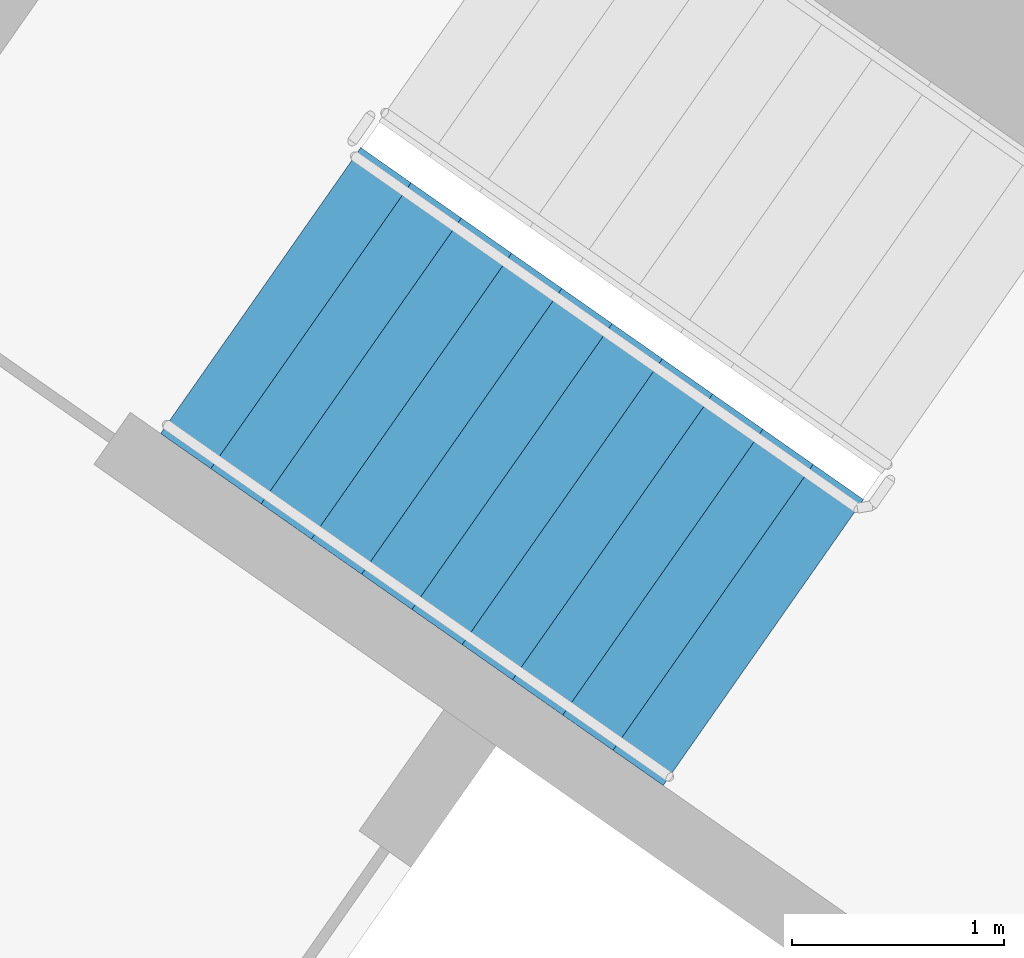
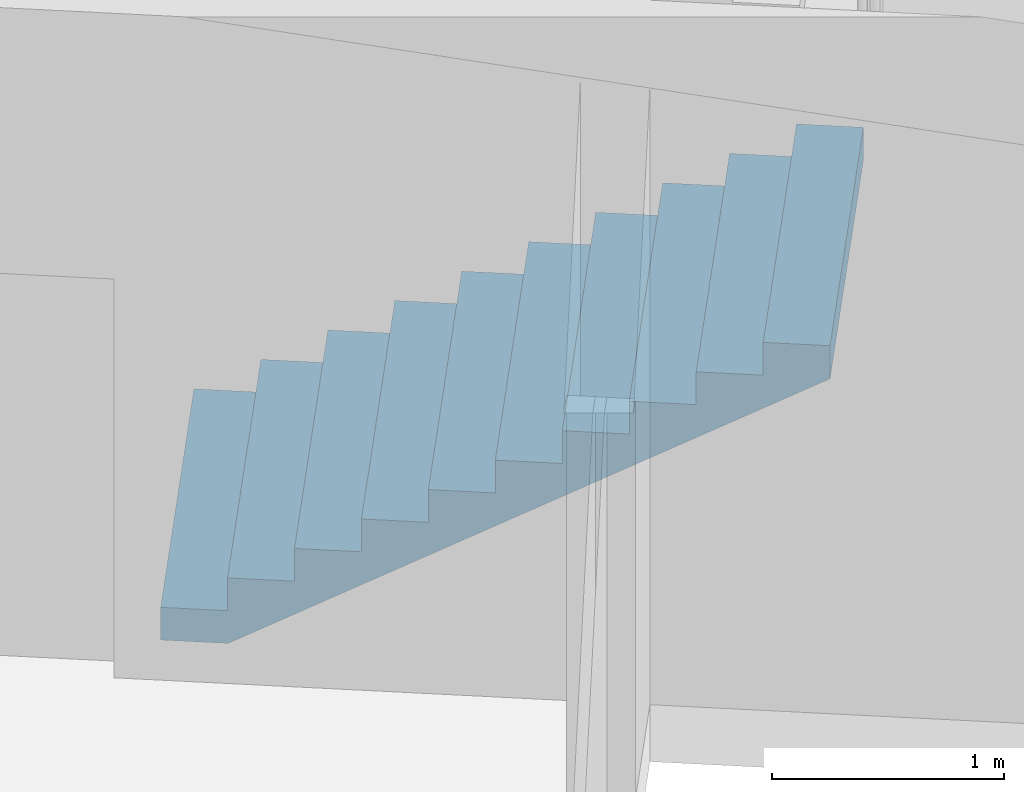
# One storey, part 10 of 30: 1 stair flight, 1 element without a shape of its own.
"""IFC4 building model written with IfcOpenShell, lengths in metres."""

import ifcopenshell
import ifcopenshell.guid

model = None  # the IFC model being written
_history = None  # IfcOwnerHistory: only IFC2X3 demands one
_inside = {}  # id of a spatial element -> (the spatial element, [elements in it])
_under = {}  # id of a project, library or spatial element -> (it, [spatial elements below it])
_declared = {}  # id of a project -> (the project, [libraries it declares])
_typed = {}  # id of a type object -> (the type object, [elements of that type])
_made_of = {}  # id of a material, layer set ... -> (it, [elements and type objects made of it])


def new_model(schema):
    """Start an empty IFC model of exactly this schema.

    Asked for "IFC4X3", IfcOpenShell would pick the latest addendum, in which some entities
    have other attributes; the version numbers below select the first issue.
    IFC2X3 requires an IfcOwnerHistory on every rooted entity: one is made here for all.
    """
    global model, _history
    if schema == "IFC4X3":
        model = ifcopenshell.file(schema_version=(4, 3, 0, 0))
    else:
        model = ifcopenshell.file(schema=schema)
    _inside.clear()
    _under.clear()
    _declared.clear()
    _typed.clear()
    _made_of.clear()
    _history = None
    if model.schema == "IFC2X3":
        org = make("IfcOrganization", Name="unknown")
        user = make(
            "IfcPersonAndOrganization",
            ThePerson=make("IfcPerson", FamilyName="unknown"),
            TheOrganization=org,
        )
        app = make(
            "IfcApplication",
            ApplicationDeveloper=org,
            Version="unknown",
            ApplicationFullName="unknown",
            ApplicationIdentifier="unknown",
        )
        _history = make(
            "IfcOwnerHistory",
            OwningUser=user,
            OwningApplication=app,
            ChangeAction="ADDED",
            CreationDate=0,
        )
    return model


def make(cls, **values):
    """One entity of the class cls with the attributes given. An attribute that is None is left unset."""
    return model.create_entity(
        cls, **{name: value for name, value in values.items() if value is not None}
    )


def rooted(cls, **values):
    """An entity with a GlobalId (a new one), such as an element, a storey or a relation."""
    return make(cls, GlobalId=ifcopenshell.guid.new(), OwnerHistory=_history, **values)


def si_unit(unit_type, name, prefix=None):
    """IfcSIUnit, for example si_unit("LENGTHUNIT", "METRE", prefix="MILLI")."""
    return make("IfcSIUnit", UnitType=unit_type, Prefix=prefix, Name=name)


def assignment(units):
    """IfcUnitAssignment: the units of a project."""
    return None if units is None else make("IfcUnitAssignment", Units=units)


def point(xyz):
    """IfcCartesianPoint."""
    return None if xyz is None else make("IfcCartesianPoint", Coordinates=xyz)


def direction(xyz):
    """IfcDirection."""
    return None if xyz is None else make("IfcDirection", DirectionRatios=xyz)


def frame(location, z_axis=None, x_axis=None):
    """IfcAxis2Placement3D, a coordinate frame: its origin and axes. An axis left out is left unset."""
    return make(
        "IfcAxis2Placement3D",
        Location=point(location),
        Axis=direction(z_axis),
        RefDirection=direction(x_axis),
    )


def origin():
    """The frame at (0, 0, 0) with its axes left unset."""
    return frame((0.0, 0.0, 0.0))


def place(relative_to, where):
    """IfcLocalPlacement: puts the frame where relative to a parent placement (None: the world)."""
    return make(
        "IfcLocalPlacement", PlacementRelTo=relative_to, RelativePlacement=where
    )


def context(
    kind, dimensions, precision=None, world=None, true_north=None, identifier=None
):
    """IfcGeometricRepresentationContext, for example the 3D "Model" context."""
    return make(
        "IfcGeometricRepresentationContext",
        ContextIdentifier=identifier,
        ContextType=kind,
        CoordinateSpaceDimension=dimensions,
        Precision=precision,
        WorldCoordinateSystem=world,
        TrueNorth=true_north,
    )


def subcontext(parent, identifier, kind, view, scale=None):
    """IfcGeometricRepresentationSubContext, for example "Body" below "Model"."""
    return make(
        "IfcGeometricRepresentationSubContext",
        ContextIdentifier=identifier,
        ContextType=kind,
        ParentContext=parent,
        TargetScale=scale,
        TargetView=view,
    )


def project(units=None, contexts=None):
    """IfcProject with its units and contexts."""
    return rooted(
        "IfcProject",
        Name="project",
        RepresentationContexts=contexts,
        UnitsInContext=assignment(units),
    )


def spatial(cls, under=None, at=None, **own):
    """A site, building, storey or space (cls), placed at a placement, below another one or the project."""
    s = rooted(cls, ObjectPlacement=at, **own)
    if under is not None:
        _under.setdefault(under.id(), (under, []))[1].append(s)
    return s


def faces_of(points, faces, orient=None, outer=None):
    """IfcFace entities. A face is a list of loops; a loop is a list of indices into points, from 0.

    orient and outer hold one flag for each loop. By default every Orientation is true, the
    first loop of a face is its IfcFaceOuterBound and the others are IfcFaceBound.
    """
    made = []
    for i, loops in enumerate(faces):
        bounds = []
        for j, loop in enumerate(loops):
            is_outer = j == 0 if outer is None else outer[i][j]
            bounds.append(
                make(
                    "IfcFaceOuterBound" if is_outer else "IfcFaceBound",
                    Bound=make("IfcPolyLoop", Polygon=[points[k] for k in loop]),
                    Orientation=True if orient is None else orient[i][j],
                )
            )
        made.append(make("IfcFace", Bounds=bounds))
    return made


def faceted_brep(points, faces, orient=None, outer=None, voids=None):
    """IfcFacetedBrep: a solid bounded by flat faces; with voids (closed shells), ...WithVoids."""
    shared = [point(p) for p in points]
    hull = make("IfcClosedShell", CfsFaces=faces_of(shared, faces, orient, outer))
    if voids is None:
        return make("IfcFacetedBrep", Outer=hull)
    return make(
        "IfcFacetedBrepWithVoids",
        Outer=hull,
        Voids=[
            make(cls, CfsFaces=faces_of(shared, fs, o, b)) for cls, fs, o, b in voids
        ],
    )


def shape(context_of_items, identifier, shape_type, items):
    """IfcShapeRepresentation: the items that make up one representation, for example the "Body"."""
    return make(
        "IfcShapeRepresentation",
        ContextOfItems=context_of_items,
        RepresentationIdentifier=identifier,
        RepresentationType=shape_type,
        Items=items,
    )


def material(Name=None, Category=None):
    """IfcMaterial."""
    return make("IfcMaterial", Name=Name, Category=Category)


def made_of(thing, what):
    """Note that an element or type object is made of a material, layer set ...; save() writes the relation."""
    if what is not None:
        _made_of.setdefault(what.id(), (what, []))[1].append(thing)
    return thing


def type_object(cls, material=None, **own):
    """A type object (cls), such as IfcWallType, which elements share."""
    return made_of(rooted(cls, **own), material)


def element(
    cls,
    number,
    at=None,
    inside=None,
    cuts=None,
    type_object=None,
    material=None,
    context=None,
    identifier="Body",
    shape_type=None,
    held_by="IfcProductDefinitionShape",
    body=None,
    shapes=None,
    **own,
):
    """One element of the class cls, such as IfcWall. Its Tag is "e" and its number.

    at: its placement. inside: the storey or other place that contains it. cuts: it is an
    opening in that element (IfcRelVoidsElement). A single representation is given by context,
    identifier, shape_type and body (its items); several are given by shapes. held_by: the class
    of the entity that holds the representations. save() writes the other relations.
    """
    e = rooted(cls, Tag="e%d" % number, ObjectPlacement=at, **own)
    if body is not None:
        shapes = [shape(context, identifier, shape_type, body)]
    if shapes is not None:
        e.Representation = make(held_by, Representations=shapes)
    if inside is not None:
        _inside.setdefault(inside.id(), (inside, []))[1].append(e)
    if cuts is not None:
        rooted(
            "IfcRelVoidsElement", RelatingBuildingElement=cuts, RelatedOpeningElement=e
        )
    if type_object is not None:
        _typed.setdefault(type_object.id(), (type_object, []))[1].append(e)
    return made_of(e, material)


def aggregate(whole, parts):
    """IfcRelAggregates: a whole, such as a stair, and the parts it consists of."""
    return rooted("IfcRelAggregates", RelatingObject=whole, RelatedObjects=parts)


def save(model, path):
    """Write the relations noted so far, then the file.

    IfcRelAggregates (storeys below a building ...), IfcRelContainedInSpatialStructure (elements
    in a storey), IfcRelDefinesByType, IfcRelAssociatesMaterial and IfcRelDeclares: one each for
    every whole, place, type object, material and project.
    """
    for whole, parts in _under.values():
        aggregate(whole, parts)
    for where, things in _inside.values():
        rooted(
            "IfcRelContainedInSpatialStructure",
            RelatedElements=things,
            RelatingStructure=where,
        )
    for kind, things in _typed.values():
        rooted("IfcRelDefinesByType", RelatedObjects=things, RelatingType=kind)
    for what, things in _made_of.values():
        rooted("IfcRelAssociatesMaterial", RelatedObjects=things, RelatingMaterial=what)
    for by, libraries in _declared.values():
        rooted("IfcRelDeclares", RelatingContext=by, RelatedDefinitions=libraries)
    model.write(path)


model = new_model("IFC4")

# Units and contexts
model_context = context("Model", 3, precision=1e-05, world=origin(), true_north=direction((0.0, 1.0)))
body_context = subcontext(model_context, "Body", "Model", "MODEL_VIEW")
ifc_project = project(units=[si_unit("LENGTHUNIT", "METRE"), si_unit("AREAUNIT", "SQUARE_METRE"), si_unit("VOLUMEUNIT", "CUBIC_METRE"), si_unit("PLANEANGLEUNIT", "RADIAN"), si_unit("MASSUNIT", "GRAM", prefix="KILO")], contexts=[model_context])

# Site, building, storey
site_placement = place(None, origin())
site = spatial("IfcSite", under=ifc_project, at=site_placement, CompositionType="ELEMENT")
building_placement = place(site_placement, origin())
building = spatial("IfcBuilding", under=site, at=building_placement, Name="Qamariyya Broadcast Tower", CompositionType="ELEMENT")
storey_placement = place(building_placement, frame((0.0, 0.0, 203.699951171875)))
storey = spatial("IfcBuildingStorey", under=building, at=storey_placement, Name="L48", CompositionType="ELEMENT", Elevation=203.699951171875)

# Stair, stair flight
ifc_material = material(Name="Concrete C50/60", Category="concrete")
stair_type = type_object("IfcStairType", Name="Exit stair 22 risers of 173 mm", PredefinedType="HALF_TURN_STAIR", material=ifc_material)
stair_placement = place(storey_placement, origin())
stair = element("IfcStair", 1, at=stair_placement, inside=storey, type_object=stair_type, Name="L48 Stair W2", PredefinedType="HALF_TURN_STAIR")
stair_flight_type = type_object("IfcStairFlightType", Name="Exit stair flight 11 risers of 173 mm", PredefinedType="STRAIGHT", material=ifc_material)
stair_flight_placement = place(storey_placement, frame((-41.59130859375, -49.15966796875, 0.0), z_axis=(0.0, 0.0, 1.0), x_axis=(0.819152044289, -0.573576436351, 0.0)))
stair_flight = element("IfcStairFlight", 2, at=stair_flight_placement, type_object=stair_flight_type, Name="ST-W2 flight 1", NumberOfRisers=11, NumberOfTreads=10, PredefinedType="STRAIGHT", RiserHeight=0.172727273, TreadLength=0.29, context=body_context, shape_type="Brep", body=[
    faceted_brep([(0.0, 0.824951171875, 0.0), (0.0, 0.824951171875, 0.172607421875), (0.2900390625, 0.824951171875, 0.172607421875), (0.2900390625, 0.824951171875, 0.345458984375), (0.580078125, 0.824951171875, 0.345458984375), (0.580078125, 0.824951171875, 0.51806640625), (0.8701171875, 0.824951171875, 0.51806640625), (0.8701171875, 0.824951171875, 0.69091796875), (1.159912109375, 0.824951171875, 0.69091796875), (1.159912109375, 0.824951171875, 0.863525390625), (1.449951171875, 0.824951171875, 0.863525390625), (1.449951171875, 0.824951171875, 1.036376953125), (1.739990234375, 0.824951171875, 1.036376953125), (1.739990234375, 0.824951171875, 1.208984375), (2.030029296875, 0.824951171875, 1.208984375), (2.030029296875, 0.824951171875, 1.3818359375), (2.320068359375, 0.824951171875, 1.3818359375), (2.320068359375, 0.824951171875, 1.554443359375), (2.610107421875, 0.824951171875, 1.554443359375), (2.610107421875, 0.824951171875, 1.727294921875), (2.89990234375, 0.824951171875, 1.727294921875), (2.89990234375, 0.824951171875, 1.552734375), (0.29296875, 0.824951171875, 0.0), (0.29296875, -0.824951171875, 0.0), (2.89990234375, -0.824951171875, 1.552734375), (2.89990234375, -0.824951171875, 1.727294921875), (2.610107421875, -0.824951171875, 1.727294921875), (2.610107421875, -0.824951171875, 1.554443359375), (2.320068359375, -0.824951171875, 1.554443359375), (2.320068359375, -0.824951171875, 1.3818359375), (2.030029296875, -0.824951171875, 1.3818359375), (2.030029296875, -0.824951171875, 1.208984375), (1.739990234375, -0.824951171875, 1.208984375), (1.739990234375, -0.824951171875, 1.036376953125), (1.449951171875, -0.824951171875, 1.036376953125), (1.449951171875, -0.824951171875, 0.863525390625), (1.159912109375, -0.824951171875, 0.863525390625), (1.159912109375, -0.824951171875, 0.69091796875), (0.8701171875, -0.824951171875, 0.69091796875), (0.8701171875, -0.824951171875, 0.51806640625), (0.580078125, -0.824951171875, 0.51806640625), (0.580078125, -0.824951171875, 0.345458984375), (0.2900390625, -0.824951171875, 0.345458984375), (0.2900390625, -0.824951171875, 0.172607421875), (0.0, -0.824951171875, 0.172607421875), (0.0, -0.824951171875, 0.0), (0.0, 0.10009765625, 0.0), (0.0, 0.086669921875, 0.0), (0.0, 0.0732421875, 0.0), (0.0, 0.06005859375, 0.0), (0.0, 0.046630859375, 0.0), (0.0, 0.033447265625, 0.0), (0.0, 0.02001953125, 0.0), (0.0, 0.006591796875, 0.0), (0.0, -0.006591796875, 0.0), (0.0, -0.02001953125, 0.0), (0.0, -0.033447265625, 0.0), (0.0, -0.046630859375, 0.0), (0.0, -0.06005859375, 0.0), (0.0, -0.0732421875, 0.0), (0.0, -0.086669921875, 0.0), (0.0, -0.10009765625, 0.0), (0.0, -0.10009765625, 0.172607421875), (0.0, -0.086669921875, 0.172607421875), (0.0, -0.0732421875, 0.172607421875), (0.0, -0.06005859375, 0.172607421875), (0.0, -0.046630859375, 0.172607421875), (0.0, -0.033447265625, 0.172607421875), (0.0, -0.02001953125, 0.172607421875), (0.0, -0.006591796875, 0.172607421875), (0.0, 0.006591796875, 0.172607421875), (0.0, 0.02001953125, 0.172607421875), (0.0, 0.033447265625, 0.172607421875), (0.0, 0.046630859375, 0.172607421875), (0.0, 0.06005859375, 0.172607421875), (0.0, 0.0732421875, 0.172607421875), (0.0, 0.086669921875, 0.172607421875), (0.0, 0.10009765625, 0.172607421875), (0.2900390625, -0.10009765625, 0.172607421875), (0.2900390625, -0.086669921875, 0.172607421875), (0.2900390625, -0.0732421875, 0.172607421875), (0.2900390625, -0.06005859375, 0.172607421875), (0.2900390625, -0.046630859375, 0.172607421875), (0.2900390625, -0.033447265625, 0.172607421875), (0.2900390625, -0.02001953125, 0.172607421875), (0.2900390625, -0.006591796875, 0.172607421875), (0.2900390625, 0.006591796875, 0.172607421875), (0.2900390625, 0.02001953125, 0.172607421875), (0.2900390625, 0.033447265625, 0.172607421875), (0.2900390625, 0.046630859375, 0.172607421875), (0.2900390625, 0.06005859375, 0.172607421875), (0.2900390625, 0.0732421875, 0.172607421875), (0.2900390625, 0.086669921875, 0.172607421875), (0.2900390625, 0.10009765625, 0.172607421875), (0.2900390625, -0.10009765625, 0.345458984375), (0.2900390625, -0.086669921875, 0.345458984375), (0.2900390625, -0.0732421875, 0.345458984375), (0.2900390625, -0.06005859375, 0.345458984375), (0.2900390625, -0.046630859375, 0.345458984375), (0.2900390625, -0.033447265625, 0.345458984375), (0.2900390625, -0.02001953125, 0.345458984375), (0.2900390625, -0.006591796875, 0.345458984375), (0.2900390625, 0.006591796875, 0.345458984375), (0.2900390625, 0.02001953125, 0.345458984375), (0.2900390625, 0.033447265625, 0.345458984375), (0.2900390625, 0.046630859375, 0.345458984375), (0.2900390625, 0.06005859375, 0.345458984375), (0.2900390625, 0.0732421875, 0.345458984375), (0.2900390625, 0.086669921875, 0.345458984375), (0.2900390625, 0.10009765625, 0.345458984375), (0.580078125, -0.10009765625, 0.345458984375), (0.580078125, -0.086669921875, 0.345458984375), (0.580078125, -0.0732421875, 0.345458984375), (0.580078125, -0.06005859375, 0.345458984375), (0.580078125, -0.046630859375, 0.345458984375), (0.580078125, -0.033447265625, 0.345458984375), (0.580078125, -0.02001953125, 0.345458984375), (0.580078125, -0.006591796875, 0.345458984375), (0.580078125, 0.006591796875, 0.345458984375), (0.580078125, 0.02001953125, 0.345458984375), (0.580078125, 0.033447265625, 0.345458984375), (0.580078125, 0.046630859375, 0.345458984375), (0.580078125, 0.06005859375, 0.345458984375), (0.580078125, 0.0732421875, 0.345458984375), (0.580078125, 0.086669921875, 0.345458984375), (0.580078125, 0.10009765625, 0.345458984375), (0.580078125, -0.10009765625, 0.51806640625), (0.580078125, -0.086669921875, 0.51806640625), (0.580078125, -0.0732421875, 0.51806640625), (0.580078125, -0.06005859375, 0.51806640625), (0.580078125, -0.046630859375, 0.51806640625), (0.580078125, -0.033447265625, 0.51806640625), (0.580078125, -0.02001953125, 0.51806640625), (0.580078125, -0.006591796875, 0.51806640625), (0.580078125, 0.006591796875, 0.51806640625), (0.580078125, 0.02001953125, 0.51806640625), (0.580078125, 0.033447265625, 0.51806640625), (0.580078125, 0.046630859375, 0.51806640625), (0.580078125, 0.06005859375, 0.51806640625), (0.580078125, 0.0732421875, 0.51806640625), (0.580078125, 0.086669921875, 0.51806640625), (0.580078125, 0.10009765625, 0.51806640625), (0.8701171875, -0.10009765625, 0.51806640625), (0.8701171875, -0.086669921875, 0.51806640625), (0.8701171875, -0.0732421875, 0.51806640625), (0.8701171875, -0.06005859375, 0.51806640625), (0.8701171875, -0.046630859375, 0.51806640625), (0.8701171875, -0.033447265625, 0.51806640625), (0.8701171875, -0.02001953125, 0.51806640625), (0.8701171875, -0.006591796875, 0.51806640625), (0.8701171875, 0.006591796875, 0.51806640625), (0.8701171875, 0.02001953125, 0.51806640625), (0.8701171875, 0.033447265625, 0.51806640625), (0.8701171875, 0.046630859375, 0.51806640625), (0.8701171875, 0.06005859375, 0.51806640625), (0.8701171875, 0.0732421875, 0.51806640625), (0.8701171875, 0.086669921875, 0.51806640625), (0.8701171875, 0.10009765625, 0.51806640625), (0.8701171875, -0.10009765625, 0.69091796875), (0.8701171875, -0.086669921875, 0.69091796875), (0.8701171875, -0.0732421875, 0.69091796875), (0.8701171875, -0.06005859375, 0.69091796875), (0.8701171875, -0.046630859375, 0.69091796875), (0.8701171875, -0.033447265625, 0.69091796875), (0.8701171875, -0.02001953125, 0.69091796875), (0.8701171875, -0.006591796875, 0.69091796875), (0.8701171875, 0.006591796875, 0.69091796875), (0.8701171875, 0.02001953125, 0.69091796875), (0.8701171875, 0.033447265625, 0.69091796875), (0.8701171875, 0.046630859375, 0.69091796875), (0.8701171875, 0.06005859375, 0.69091796875), (0.8701171875, 0.0732421875, 0.69091796875), (0.8701171875, 0.086669921875, 0.69091796875), (0.8701171875, 0.10009765625, 0.69091796875), (1.159912109375, -0.10009765625, 0.69091796875), (1.159912109375, -0.086669921875, 0.69091796875), (1.159912109375, -0.0732421875, 0.69091796875), (1.159912109375, -0.06005859375, 0.69091796875), (1.159912109375, -0.046630859375, 0.69091796875), (1.159912109375, -0.033447265625, 0.69091796875), (1.159912109375, -0.02001953125, 0.69091796875), (1.159912109375, -0.006591796875, 0.69091796875), (1.159912109375, 0.006591796875, 0.69091796875), (1.159912109375, 0.02001953125, 0.69091796875), (1.159912109375, 0.033447265625, 0.69091796875), (1.159912109375, 0.046630859375, 0.69091796875), (1.159912109375, 0.06005859375, 0.69091796875), (1.159912109375, 0.0732421875, 0.69091796875), (1.159912109375, 0.086669921875, 0.69091796875), (1.159912109375, 0.10009765625, 0.69091796875), (1.159912109375, -0.10009765625, 0.863525390625), (1.159912109375, -0.086669921875, 0.863525390625), (1.159912109375, -0.0732421875, 0.863525390625), (1.159912109375, -0.06005859375, 0.863525390625), (1.159912109375, -0.046630859375, 0.863525390625), (1.159912109375, -0.033447265625, 0.863525390625), (1.159912109375, -0.02001953125, 0.863525390625), (1.159912109375, -0.006591796875, 0.863525390625), (1.159912109375, 0.006591796875, 0.863525390625), (1.159912109375, 0.02001953125, 0.863525390625), (1.159912109375, 0.033447265625, 0.863525390625), (1.159912109375, 0.046630859375, 0.863525390625), (1.159912109375, 0.06005859375, 0.863525390625), (1.159912109375, 0.0732421875, 0.863525390625), (1.159912109375, 0.086669921875, 0.863525390625), (1.159912109375, 0.10009765625, 0.863525390625), (1.449951171875, -0.10009765625, 0.863525390625), (1.449951171875, -0.086669921875, 0.863525390625), (1.449951171875, -0.0732421875, 0.863525390625), (1.449951171875, -0.06005859375, 0.863525390625), (1.449951171875, -0.046630859375, 0.863525390625), (1.449951171875, -0.033447265625, 0.863525390625), (1.449951171875, -0.02001953125, 0.863525390625), (1.449951171875, -0.006591796875, 0.863525390625), (1.449951171875, 0.006591796875, 0.863525390625), (1.449951171875, 0.02001953125, 0.863525390625), (1.449951171875, 0.033447265625, 0.863525390625), (1.449951171875, 0.046630859375, 0.863525390625), (1.449951171875, 0.06005859375, 0.863525390625), (1.449951171875, 0.0732421875, 0.863525390625), (1.449951171875, 0.086669921875, 0.863525390625), (1.449951171875, 0.10009765625, 0.863525390625), (1.449951171875, -0.10009765625, 1.036376953125), (1.449951171875, -0.086669921875, 1.036376953125), (1.449951171875, -0.0732421875, 1.036376953125), (1.449951171875, -0.06005859375, 1.036376953125), (1.449951171875, -0.046630859375, 1.036376953125), (1.449951171875, -0.033447265625, 1.036376953125), (1.449951171875, -0.02001953125, 1.036376953125), (1.449951171875, -0.006591796875, 1.036376953125), (1.449951171875, 0.006591796875, 1.036376953125), (1.449951171875, 0.02001953125, 1.036376953125), (1.449951171875, 0.033447265625, 1.036376953125), (1.449951171875, 0.046630859375, 1.036376953125), (1.449951171875, 0.06005859375, 1.036376953125), (1.449951171875, 0.0732421875, 1.036376953125), (1.449951171875, 0.086669921875, 1.036376953125), (1.449951171875, 0.10009765625, 1.036376953125), (1.739990234375, -0.10009765625, 1.036376953125), (1.739990234375, -0.086669921875, 1.036376953125), (1.739990234375, -0.0732421875, 1.036376953125), (1.739990234375, -0.06005859375, 1.036376953125), (1.739990234375, -0.046630859375, 1.036376953125), (1.739990234375, -0.033447265625, 1.036376953125), (1.739990234375, -0.02001953125, 1.036376953125), (1.739990234375, -0.006591796875, 1.036376953125), (1.739990234375, 0.006591796875, 1.036376953125), (1.739990234375, 0.02001953125, 1.036376953125), (1.739990234375, 0.033447265625, 1.036376953125), (1.739990234375, 0.046630859375, 1.036376953125), (1.739990234375, 0.06005859375, 1.036376953125), (1.739990234375, 0.0732421875, 1.036376953125), (1.739990234375, 0.086669921875, 1.036376953125), (1.739990234375, 0.10009765625, 1.036376953125), (1.739990234375, -0.10009765625, 1.208984375), (1.739990234375, -0.086669921875, 1.208984375), (1.739990234375, -0.0732421875, 1.208984375), (1.739990234375, -0.06005859375, 1.208984375), (1.739990234375, -0.046630859375, 1.208984375), (1.739990234375, -0.033447265625, 1.208984375), (1.739990234375, -0.02001953125, 1.208984375), (1.739990234375, -0.006591796875, 1.208984375), (1.739990234375, 0.006591796875, 1.208984375), (1.739990234375, 0.02001953125, 1.208984375), (1.739990234375, 0.033447265625, 1.208984375), (1.739990234375, 0.046630859375, 1.208984375), (1.739990234375, 0.06005859375, 1.208984375), (1.739990234375, 0.0732421875, 1.208984375), (1.739990234375, 0.086669921875, 1.208984375), (1.739990234375, 0.10009765625, 1.208984375), (2.030029296875, -0.10009765625, 1.208984375), (2.030029296875, -0.086669921875, 1.208984375), (2.030029296875, -0.0732421875, 1.208984375), (2.030029296875, -0.06005859375, 1.208984375), (2.030029296875, -0.046630859375, 1.208984375), (2.030029296875, -0.033447265625, 1.208984375), (2.030029296875, -0.02001953125, 1.208984375), (2.030029296875, -0.006591796875, 1.208984375), (2.030029296875, 0.006591796875, 1.208984375), (2.030029296875, 0.02001953125, 1.208984375), (2.030029296875, 0.033447265625, 1.208984375), (2.030029296875, 0.046630859375, 1.208984375), (2.030029296875, 0.06005859375, 1.208984375), (2.030029296875, 0.0732421875, 1.208984375), (2.030029296875, 0.086669921875, 1.208984375), (2.030029296875, 0.10009765625, 1.208984375), (2.030029296875, -0.10009765625, 1.3818359375), (2.030029296875, -0.086669921875, 1.3818359375), (2.030029296875, -0.0732421875, 1.3818359375), (2.030029296875, -0.06005859375, 1.3818359375), (2.030029296875, -0.046630859375, 1.3818359375), (2.030029296875, -0.033447265625, 1.3818359375), (2.030029296875, -0.02001953125, 1.3818359375), (2.030029296875, -0.006591796875, 1.3818359375), (2.030029296875, 0.006591796875, 1.3818359375), (2.030029296875, 0.02001953125, 1.3818359375), (2.030029296875, 0.033447265625, 1.3818359375), (2.030029296875, 0.046630859375, 1.3818359375), (2.030029296875, 0.06005859375, 1.3818359375), (2.030029296875, 0.0732421875, 1.3818359375), (2.030029296875, 0.086669921875, 1.3818359375), (2.030029296875, 0.10009765625, 1.3818359375), (2.320068359375, -0.10009765625, 1.3818359375), (2.320068359375, -0.086669921875, 1.3818359375), (2.320068359375, -0.0732421875, 1.3818359375), (2.320068359375, -0.06005859375, 1.3818359375), (2.320068359375, -0.046630859375, 1.3818359375), (2.320068359375, -0.033447265625, 1.3818359375), (2.320068359375, -0.02001953125, 1.3818359375), (2.320068359375, -0.006591796875, 1.3818359375), (2.320068359375, 0.006591796875, 1.3818359375), (2.320068359375, 0.02001953125, 1.3818359375), (2.320068359375, 0.033447265625, 1.3818359375), (2.320068359375, 0.046630859375, 1.3818359375), (2.320068359375, 0.06005859375, 1.3818359375), (2.320068359375, 0.0732421875, 1.3818359375), (2.320068359375, 0.086669921875, 1.3818359375), (2.320068359375, 0.10009765625, 1.3818359375), (2.320068359375, -0.10009765625, 1.554443359375), (2.320068359375, -0.086669921875, 1.554443359375), (2.320068359375, -0.0732421875, 1.554443359375), (2.320068359375, -0.06005859375, 1.554443359375), (2.320068359375, -0.046630859375, 1.554443359375), (2.320068359375, -0.033447265625, 1.554443359375), (2.320068359375, -0.02001953125, 1.554443359375), (2.320068359375, -0.006591796875, 1.554443359375), (2.320068359375, 0.006591796875, 1.554443359375), (2.320068359375, 0.02001953125, 1.554443359375), (2.320068359375, 0.033447265625, 1.554443359375), (2.320068359375, 0.046630859375, 1.554443359375), (2.320068359375, 0.06005859375, 1.554443359375), (2.320068359375, 0.0732421875, 1.554443359375), (2.320068359375, 0.086669921875, 1.554443359375), (2.320068359375, 0.10009765625, 1.554443359375), (2.610107421875, -0.10009765625, 1.554443359375), (2.610107421875, -0.086669921875, 1.554443359375), (2.610107421875, -0.0732421875, 1.554443359375), (2.610107421875, -0.06005859375, 1.554443359375), (2.610107421875, -0.046630859375, 1.554443359375), (2.610107421875, -0.033447265625, 1.554443359375), (2.610107421875, -0.02001953125, 1.554443359375), (2.610107421875, -0.006591796875, 1.554443359375), (2.610107421875, 0.006591796875, 1.554443359375), (2.610107421875, 0.02001953125, 1.554443359375), (2.610107421875, 0.033447265625, 1.554443359375), (2.610107421875, 0.046630859375, 1.554443359375), (2.610107421875, 0.06005859375, 1.554443359375), (2.610107421875, 0.0732421875, 1.554443359375), (2.610107421875, 0.086669921875, 1.554443359375), (2.610107421875, 0.10009765625, 1.554443359375), (2.610107421875, -0.10009765625, 1.727294921875), (2.610107421875, -0.086669921875, 1.727294921875), (2.610107421875, -0.0732421875, 1.727294921875), (2.610107421875, -0.06005859375, 1.727294921875), (2.610107421875, -0.046630859375, 1.727294921875), (2.610107421875, -0.033447265625, 1.727294921875), (2.610107421875, -0.02001953125, 1.727294921875), (2.610107421875, -0.006591796875, 1.727294921875), (2.610107421875, 0.006591796875, 1.727294921875), (2.610107421875, 0.02001953125, 1.727294921875), (2.610107421875, 0.033447265625, 1.727294921875), (2.610107421875, 0.046630859375, 1.727294921875), (2.610107421875, 0.06005859375, 1.727294921875), (2.610107421875, 0.0732421875, 1.727294921875), (2.610107421875, 0.086669921875, 1.727294921875), (2.610107421875, 0.10009765625, 1.727294921875), (2.89990234375, -0.10009765625, 1.727294921875), (2.89990234375, -0.086669921875, 1.727294921875), (2.89990234375, -0.0732421875, 1.727294921875), (2.89990234375, -0.06005859375, 1.727294921875), (2.89990234375, -0.046630859375, 1.727294921875), (2.89990234375, -0.033447265625, 1.727294921875), (2.89990234375, -0.02001953125, 1.727294921875), (2.89990234375, -0.006591796875, 1.727294921875), (2.89990234375, 0.006591796875, 1.727294921875), (2.89990234375, 0.02001953125, 1.727294921875), (2.89990234375, 0.033447265625, 1.727294921875), (2.89990234375, 0.046630859375, 1.727294921875), (2.89990234375, 0.06005859375, 1.727294921875), (2.89990234375, 0.0732421875, 1.727294921875), (2.89990234375, 0.086669921875, 1.727294921875), (2.89990234375, 0.10009765625, 1.727294921875), (2.89990234375, -0.10009765625, 1.552734375), (2.89990234375, -0.086669921875, 1.552734375), (2.89990234375, -0.0732421875, 1.552734375), (2.89990234375, -0.06005859375, 1.552734375), (2.89990234375, -0.046630859375, 1.552734375), (2.89990234375, -0.033447265625, 1.552734375), (2.89990234375, -0.02001953125, 1.552734375), (2.89990234375, -0.006591796875, 1.552734375), (2.89990234375, 0.006591796875, 1.552734375), (2.89990234375, 0.02001953125, 1.552734375), (2.89990234375, 0.033447265625, 1.552734375), (2.89990234375, 0.046630859375, 1.552734375), (2.89990234375, 0.06005859375, 1.552734375), (2.89990234375, 0.0732421875, 1.552734375), (2.89990234375, 0.086669921875, 1.552734375), (2.89990234375, 0.10009765625, 1.552734375), (0.29296875, -0.10009765625, 0.0), (0.29296875, -0.086669921875, 0.0), (0.29296875, -0.0732421875, 0.0), (0.29296875, -0.06005859375, 0.0), (0.29296875, -0.046630859375, 0.0), (0.29296875, -0.033447265625, 0.0), (0.29296875, -0.02001953125, 0.0), (0.29296875, -0.006591796875, 0.0), (0.29296875, 0.006591796875, 0.0), (0.29296875, 0.02001953125, 0.0), (0.29296875, 0.033447265625, 0.0), (0.29296875, 0.046630859375, 0.0), (0.29296875, 0.06005859375, 0.0), (0.29296875, 0.0732421875, 0.0), (0.29296875, 0.086669921875, 0.0), (0.29296875, 0.10009765625, 0.0)], [[[0, 1, 2, 3, 4, 5, 6, 7, 8, 9, 10, 11, 12, 13, 14, 15, 16, 17, 18, 19, 20, 21, 22]], [[23, 24, 25, 26, 27, 28, 29, 30, 31, 32, 33, 34, 35, 36, 37, 38, 39, 40, 41, 42, 43, 44, 45]], [[0, 46, 47, 48, 49, 50, 51, 52, 53, 54, 55, 56, 57, 58, 59, 60, 61, 45, 44, 62, 63, 64, 65, 66, 67, 68, 69, 70, 71, 72, 73, 74, 75, 76, 77, 1]], [[1, 77, 76, 75, 74, 73, 72, 71, 70, 69, 68, 67, 66, 65, 64, 63, 62, 44, 43, 78, 79, 80, 81, 82, 83, 84, 85, 86, 87, 88, 89, 90, 91, 92, 93, 2]], [[2, 93, 92, 91, 90, 89, 88, 87, 86, 85, 84, 83, 82, 81, 80, 79, 78, 43, 42, 94, 95, 96, 97, 98, 99, 100, 101, 102, 103, 104, 105, 106, 107, 108, 109, 3]], [[3, 109, 108, 107, 106, 105, 104, 103, 102, 101, 100, 99, 98, 97, 96, 95, 94, 42, 41, 110, 111, 112, 113, 114, 115, 116, 117, 118, 119, 120, 121, 122, 123, 124, 125, 4]], [[4, 125, 124, 123, 122, 121, 120, 119, 118, 117, 116, 115, 114, 113, 112, 111, 110, 41, 40, 126, 127, 128, 129, 130, 131, 132, 133, 134, 135, 136, 137, 138, 139, 140, 141, 5]], [[5, 141, 140, 139, 138, 137, 136, 135, 134, 133, 132, 131, 130, 129, 128, 127, 126, 40, 39, 142, 143, 144, 145, 146, 147, 148, 149, 150, 151, 152, 153, 154, 155, 156, 157, 6]], [[6, 157, 156, 155, 154, 153, 152, 151, 150, 149, 148, 147, 146, 145, 144, 143, 142, 39, 38, 158, 159, 160, 161, 162, 163, 164, 165, 166, 167, 168, 169, 170, 171, 172, 173, 7]], [[7, 173, 172, 171, 170, 169, 168, 167, 166, 165, 164, 163, 162, 161, 160, 159, 158, 38, 37, 174, 175, 176, 177, 178, 179, 180, 181, 182, 183, 184, 185, 186, 187, 188, 189, 8]], [[8, 189, 188, 187, 186, 185, 184, 183, 182, 181, 180, 179, 178, 177, 176, 175, 174, 37, 36, 190, 191, 192, 193, 194, 195, 196, 197, 198, 199, 200, 201, 202, 203, 204, 205, 9]], [[9, 205, 204, 203, 202, 201, 200, 199, 198, 197, 196, 195, 194, 193, 192, 191, 190, 36, 35, 206, 207, 208, 209, 210, 211, 212, 213, 214, 215, 216, 217, 218, 219, 220, 221, 10]], [[10, 221, 220, 219, 218, 217, 216, 215, 214, 213, 212, 211, 210, 209, 208, 207, 206, 35, 34, 222, 223, 224, 225, 226, 227, 228, 229, 230, 231, 232, 233, 234, 235, 236, 237, 11]], [[11, 237, 236, 235, 234, 233, 232, 231, 230, 229, 228, 227, 226, 225, 224, 223, 222, 34, 33, 238, 239, 240, 241, 242, 243, 244, 245, 246, 247, 248, 249, 250, 251, 252, 253, 12]], [[12, 253, 252, 251, 250, 249, 248, 247, 246, 245, 244, 243, 242, 241, 240, 239, 238, 33, 32, 254, 255, 256, 257, 258, 259, 260, 261, 262, 263, 264, 265, 266, 267, 268, 269, 13]], [[13, 269, 268, 267, 266, 265, 264, 263, 262, 261, 260, 259, 258, 257, 256, 255, 254, 32, 31, 270, 271, 272, 273, 274, 275, 276, 277, 278, 279, 280, 281, 282, 283, 284, 285, 14]], [[14, 285, 284, 283, 282, 281, 280, 279, 278, 277, 276, 275, 274, 273, 272, 271, 270, 31, 30, 286, 287, 288, 289, 290, 291, 292, 293, 294, 295, 296, 297, 298, 299, 300, 301, 15]], [[15, 301, 300, 299, 298, 297, 296, 295, 294, 293, 292, 291, 290, 289, 288, 287, 286, 30, 29, 302, 303, 304, 305, 306, 307, 308, 309, 310, 311, 312, 313, 314, 315, 316, 317, 16]], [[16, 317, 316, 315, 314, 313, 312, 311, 310, 309, 308, 307, 306, 305, 304, 303, 302, 29, 28, 318, 319, 320, 321, 322, 323, 324, 325, 326, 327, 328, 329, 330, 331, 332, 333, 17]], [[17, 333, 332, 331, 330, 329, 328, 327, 326, 325, 324, 323, 322, 321, 320, 319, 318, 28, 27, 334, 335, 336, 337, 338, 339, 340, 341, 342, 343, 344, 345, 346, 347, 348, 349, 18]], [[18, 349, 348, 347, 346, 345, 344, 343, 342, 341, 340, 339, 338, 337, 336, 335, 334, 27, 26, 350, 351, 352, 353, 354, 355, 356, 357, 358, 359, 360, 361, 362, 363, 364, 365, 19]], [[19, 365, 364, 363, 362, 361, 360, 359, 358, 357, 356, 355, 354, 353, 352, 351, 350, 26, 25, 366, 367, 368, 369, 370, 371, 372, 373, 374, 375, 376, 377, 378, 379, 380, 381, 20]], [[20, 381, 380, 379, 378, 377, 376, 375, 374, 373, 372, 371, 370, 369, 368, 367, 366, 25, 24, 382, 383, 384, 385, 386, 387, 388, 389, 390, 391, 392, 393, 394, 395, 396, 397, 21]], [[21, 397, 396, 395, 394, 393, 392, 391, 390, 389, 388, 387, 386, 385, 384, 383, 382, 24, 23, 398, 399, 400, 401, 402, 403, 404, 405, 406, 407, 408, 409, 410, 411, 412, 413, 22]], [[22, 413, 412, 411, 410, 409, 408, 407, 406, 405, 404, 403, 402, 401, 400, 399, 398, 23, 45, 61, 60, 59, 58, 57, 56, 55, 54, 53, 52, 51, 50, 49, 48, 47, 46, 0]]]),
])
aggregate(stair, [stair_flight])

save(model, "model.ifc")
